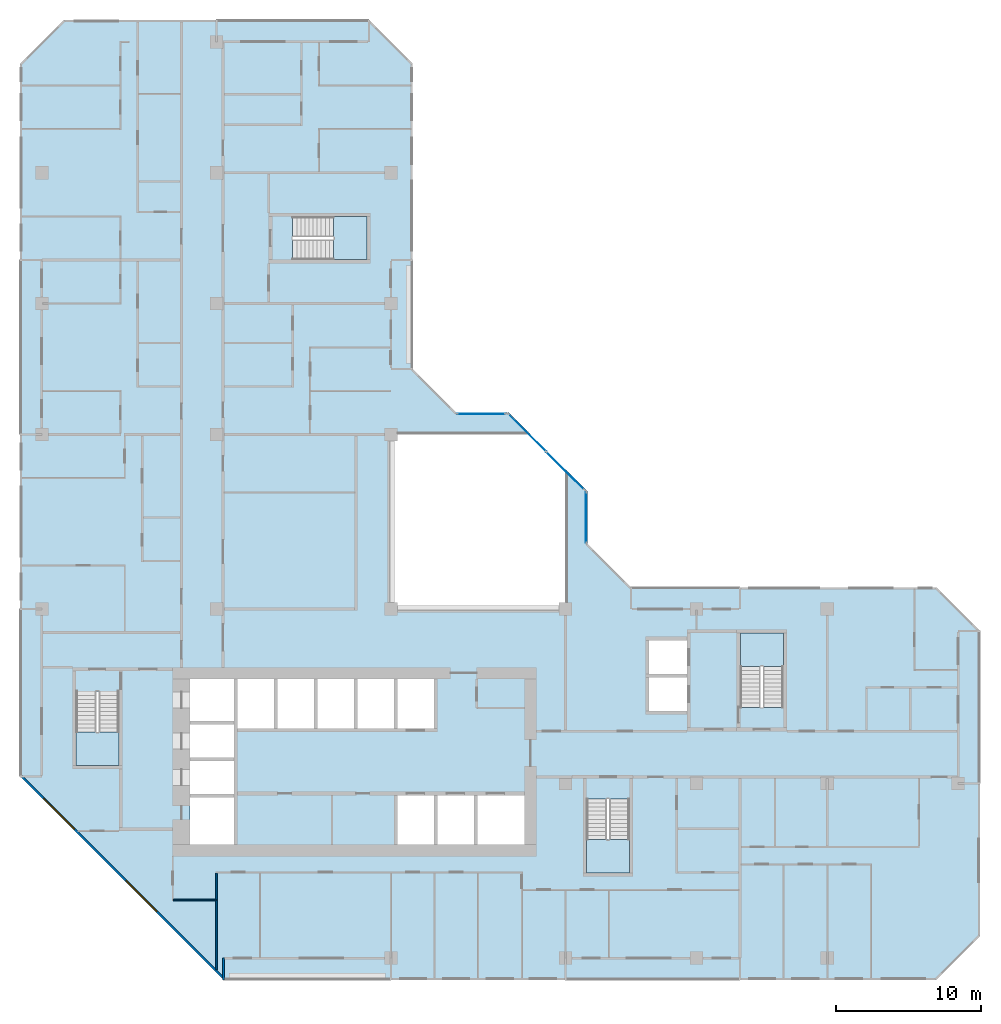
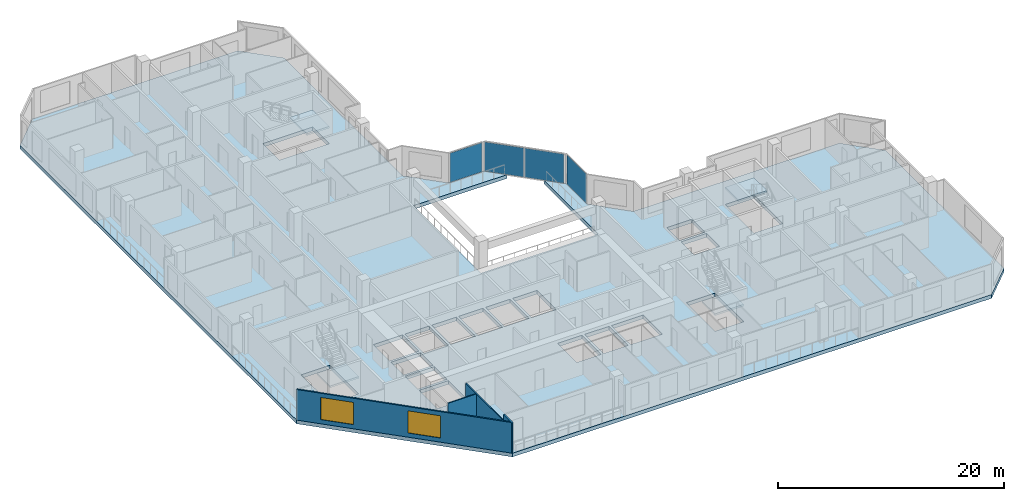
# One storey, part 3 of 15: 5 slabs, 4 plates, 4 walls, 2 windows, 2 openings, 7 elements without a shape of their own.
"""IFC4 building model written with IfcOpenShell, lengths in metres."""

from ifc_helpers import new_model, si_unit, direction, frame, frame_2d, origin, origin_2d, place, context, subcontext, project, spatial, polyline, rectangle, outline, extrude, material, layer, layer_set, type_object, element, fill, aggregate, save


model = new_model("IFC4")

# Units and contexts
model_context = context("Model", 3, precision=1e-05, world=origin(), true_north=direction((0.0, 1.0)))
body_context = subcontext(model_context, "Body", "Model", "MODEL_VIEW")
ifc_project = project(units=[si_unit("LENGTHUNIT", "METRE"), si_unit("AREAUNIT", "SQUARE_METRE"), si_unit("VOLUMEUNIT", "CUBIC_METRE"), si_unit("PLANEANGLEUNIT", "RADIAN"), si_unit("MASSUNIT", "GRAM", prefix="KILO")], contexts=[model_context])

# Site, building, storey
site_placement = place(None, origin())
site = spatial("IfcSite", under=ifc_project, at=site_placement, CompositionType="ELEMENT")
building_placement = place(site_placement, origin())
building = spatial("IfcBuilding", under=site, at=building_placement, Name="Chenar Terraces", CompositionType="ELEMENT")
storey_placement = place(building_placement, frame((0.0, 0.0, 202.39990234375)))
storey = spatial("IfcBuildingStorey", under=building, at=storey_placement, Name="L47", CompositionType="ELEMENT", Elevation=202.39990234375)

# Curtain wall, plate
ifc_material_1 = material(Name="Aluminium framed glazing", Category="aluminium")
ifc_layer_1 = layer(ifc_material_1, 0.14990234375)
ifc_layer_set_1 = layer_set([ifc_layer_1], Name="Aluminium framed glazing")
curtain_wall_type = type_object("IfcCurtainWallType", Name="Atrium mid-zone curtain wall", PredefinedType="NOTDEFINED", material=ifc_layer_set_1)
placement_1 = place(storey_placement, origin())
curtain_wall_1 = element("IfcCurtainWall", 1, at=placement_1, inside=storey, type_object=curtain_wall_type, Name="Atrium mid-zone curtain wall", PredefinedType="NOTDEFINED")
ifc_material_2 = material(Name="Low emissivity laminated glass, solar control coating", Category="glass")
ifc_layer_2 = layer(ifc_material_2, 0.031982421875)
ifc_layer_set_2 = layer_set([ifc_layer_2], Name="Low emissivity laminated glass, solar control coating")
plate_type = type_object("IfcPlateType", Name="Atrium mid-zone glazing panel 32", PredefinedType="CURTAIN_PANEL", material=ifc_layer_set_2)
plate_1_placement = place(storey_placement, frame((37.425048828125, 30.300048828125, 0.0703125), z_axis=(0.0, 0.0, 1.0), x_axis=(0.0, 1.0, 0.0)))
plate_1 = element("IfcPlate", 2, at=plate_1_placement, type_object=plate_type, Name="CW7-1 panel 1.1", PredefinedType="CURTAIN_PANEL", context=body_context, shape_type="SweptSolid", body=[
    extrude(rectangle(XDim=3.4599609375, YDim=0.031982421875, at=origin_2d()), origin(), (0.0, 0.0, 1.0), 3.159912109375),
])
aggregate(curtain_wall_1, [plate_1])

# Curtain wall, plates
curtain_wall_2 = element("IfcCurtainWall", 3, at=placement_1, inside=storey, type_object=curtain_wall_type, Name="Atrium mid-zone curtain wall", PredefinedType="NOTDEFINED")
plate_2_placement = place(storey_placement, frame((35.978515625, 33.515380859375, 0.0703125), z_axis=(0.0, 0.0, 1.0), x_axis=(-0.707106781187, 0.707106781187, 0.0)))
plate_2 = element("IfcPlate", 4, at=plate_2_placement, type_object=plate_type, Name="CW7-2 panel 1.1", PredefinedType="CURTAIN_PANEL", context=body_context, shape_type="SweptSolid", body=[
    extrude(rectangle(XDim=3.61328125, YDim=0.031982421875, at=origin_2d()), origin(), (0.0, 0.0, 1.0), 3.159912109375),
])
plate_3_placement = place(storey_placement, frame((33.3740234375, 36.119873046875, 0.0703125), z_axis=(0.0, 0.0, 1.0), x_axis=(-0.707106781187, 0.707106781187, 0.0)))
plate_3 = element("IfcPlate", 5, at=plate_3_placement, type_object=plate_type, Name="CW7-2 panel 2.1", PredefinedType="CURTAIN_PANEL", context=body_context, shape_type="SweptSolid", body=[
    extrude(rectangle(XDim=3.61328125, YDim=0.031982421875, at=origin_2d()), origin(), (0.0, 0.0, 1.0), 3.159912109375),
])
aggregate(curtain_wall_2, [plate_2, plate_3])

# Curtain wall, plate
curtain_wall_3 = element("IfcCurtainWall", 6, at=placement_1, inside=storey, type_object=curtain_wall_type, Name="Atrium mid-zone curtain wall", PredefinedType="NOTDEFINED")
plate_4_placement = place(storey_placement, frame((30.199951171875, 37.425048828125, 0.0703125), z_axis=(0.0, 0.0, 1.0), x_axis=(-1.0, 0.0, 0.0)))
plate_4 = element("IfcPlate", 7, at=plate_4_placement, type_object=plate_type, Name="CW7-3 panel 1.1", PredefinedType="CURTAIN_PANEL", context=body_context, shape_type="SweptSolid", body=[
    extrude(rectangle(XDim=3.260009765625, YDim=0.031982421875, at=origin_2d()), origin(), (0.0, 0.0, 1.0), 3.159912109375),
])
aggregate(curtain_wall_3, [plate_4])

# Stair, slab
ifc_material_3 = material(Name="Reinforced concrete C40/50", Category="concrete")
stair_type = type_object("IfcStairType", Name="Core stair 1400 half-turn", PredefinedType="HALF_TURN_STAIR", material=ifc_material_3)
stair_1 = element("IfcStair", 8, at=placement_1, inside=storey, type_object=stair_type, Name="L47 Stair 1", PredefinedType="HALF_TURN_STAIR")
ifc_material_4 = material(Name="Reinforced concrete C40/50", Category="concrete")
ifc_layer_3 = layer(ifc_material_4, 0.199951171875)
ifc_layer_set_3 = layer_set([ifc_layer_3], Name="Reinforced concrete C40/50")
slab_type_1 = type_object("IfcSlabType", Name="Core stair landing 200", PredefinedType="LANDING", material=ifc_layer_set_3)
placement_2 = place(storey_placement, frame((0.0, 0.0, 1.675048828125)))
slab_1 = element("IfcSlab", 9, at=placement_2, type_object=slab_type_1, Name="ST1 landing 1", PredefinedType="LANDING", context=body_context, shape_type="SweptSolid", body=[
    extrude(outline(polyline([(2.35009765625, 15.550048828125), (2.35009765625, 13.25), (5.300048828125, 13.25), (5.300048828125, 15.550048828125), (2.35009765625, 15.550048828125)])), origin(), (0.0, 0.0, 1.0), 0.199951171875),
])
aggregate(stair_1, [slab_1])

stair_2 = element("IfcStair", 10, at=placement_1, inside=storey, type_object=stair_type, Name="L47 Stair 2", PredefinedType="HALF_TURN_STAIR")
slab_2 = element("IfcSlab", 11, at=placement_2, type_object=slab_type_1, Name="ST2 landing 1", PredefinedType="LANDING", context=body_context, shape_type="SweptSolid", body=[
    extrude(outline(polyline([(37.449951171875, 8.14990234375), (37.449951171875, 5.85009765625), (40.39990234375, 5.85009765625), (40.39990234375, 8.14990234375), (37.449951171875, 8.14990234375)])), origin(), (0.0, 0.0, 1.0), 0.199951171875),
])
aggregate(stair_2, [slab_2])

stair_3 = element("IfcStair", 12, at=placement_1, inside=storey, type_object=stair_type, Name="L47 Stair 3", PredefinedType="HALF_TURN_STAIR")
slab_3 = element("IfcSlab", 13, at=placement_2, type_object=slab_type_1, Name="ST3 landing 1", PredefinedType="LANDING", context=body_context, shape_type="SweptSolid", body=[
    extrude(outline(polyline([(50.97509765625, 20.050048828125), (50.97509765625, 22.35009765625), (48.02490234375, 22.35009765625), (48.02490234375, 20.050048828125), (50.97509765625, 20.050048828125)])), origin(), (0.0, 0.0, 1.0), 0.199951171875),
])
aggregate(stair_3, [slab_3])

stair_4 = element("IfcStair", 14, at=placement_1, inside=storey, type_object=stair_type, Name="L47 Stair 4", PredefinedType="HALF_TURN_STAIR")
slab_4 = element("IfcSlab", 15, at=placement_2, type_object=slab_type_1, Name="ST4 landing 1", PredefinedType="LANDING", context=body_context, shape_type="SweptSolid", body=[
    extrude(outline(polyline([(20.050048828125, 48.02490234375), (22.35009765625, 48.02490234375), (22.35009765625, 50.97509765625), (20.050048828125, 50.97509765625), (20.050048828125, 48.02490234375)])), origin(), (0.0, 0.0, 1.0), 0.199951171875),
])
aggregate(stair_4, [slab_4])

# Slab
ifc_material_5 = material(Name="Concrete C40/50", Category="concrete")
ifc_layer_4 = layer(ifc_material_5, 0.39990234375)
ifc_layer_set_4 = layer_set([ifc_layer_4], Name="Concrete C40/50")
slab_type_2 = type_object("IfcSlabType", Name="Floor slab 400 Concrete C40/50", PredefinedType="FLOOR", material=ifc_layer_set_4)
slab_5_placement = place(storey_placement, frame((0.0, 0.0, -0.39990234375)))
element("IfcSlab", 16, at=slab_5_placement, inside=storey, type_object=slab_type_2, Name="Floor slab L47", PredefinedType="FLOOR", context=body_context, shape_type="SweptSolid", body=[
    extrude(outline(polyline([(64.5, 22.5), (64.5, 1.5), (61.5, -1.5), (12.5, -1.5), (-1.5, 12.5), (-1.5, 61.5), (1.5, 64.5), (22.5, 64.5), (25.5, 61.5), (25.5, 40.5), (28.5, 37.5), (32.10009765625, 37.5), (33.60009765625, 36.0), (24.0, 36.0), (24.0, 24.0), (36.0, 24.0), (36.0, 33.60009765625), (37.5, 32.10009765625), (37.5, 28.5), (40.5, 25.5), (61.5, 25.5), (64.5, 22.5)]), holes=[polyline([(13.199951171875, 11.050048828125), (10.199951171875, 11.050048828125), (10.199951171875, 7.800048828125), (13.199951171875, 7.800048828125), (13.199951171875, 11.050048828125)]), polyline([(13.199951171875, 13.550048828125), (10.199951171875, 13.550048828125), (10.199951171875, 11.300048828125), (13.199951171875, 11.300048828125), (13.199951171875, 13.550048828125)]), polyline([(13.199951171875, 16.050048828125), (10.199951171875, 16.050048828125), (10.199951171875, 13.800048828125), (13.199951171875, 13.800048828125), (13.199951171875, 16.050048828125)]), polyline([(2.35009765625, 13.25), (5.300048828125, 13.25), (5.300048828125, 18.35009765625), (2.35009765625, 18.35009765625), (2.35009765625, 13.25)]), polyline([(15.949951171875, 19.199951171875), (13.449951171875, 19.199951171875), (13.449951171875, 15.800048828125), (15.949951171875, 15.800048828125), (15.949951171875, 19.199951171875)]), polyline([(18.699951171875, 19.199951171875), (16.199951171875, 19.199951171875), (16.199951171875, 15.800048828125), (18.699951171875, 15.800048828125), (18.699951171875, 19.199951171875)]), polyline([(21.449951171875, 19.199951171875), (18.949951171875, 19.199951171875), (18.949951171875, 15.800048828125), (21.449951171875, 15.800048828125), (21.449951171875, 19.199951171875)]), polyline([(24.199951171875, 15.800048828125), (24.199951171875, 19.199951171875), (21.699951171875, 19.199951171875), (21.699951171875, 15.800048828125), (24.199951171875, 15.800048828125)]), polyline([(13.199951171875, 16.300048828125), (13.199951171875, 19.199951171875), (10.199951171875, 19.199951171875), (10.199951171875, 16.300048828125), (13.199951171875, 16.300048828125)]), polyline([(22.35009765625, 48.02490234375), (22.35009765625, 50.97509765625), (17.25, 50.97509765625), (17.25, 48.02490234375), (22.35009765625, 48.02490234375)]), polyline([(37.449951171875, 5.85009765625), (40.39990234375, 5.85009765625), (40.39990234375, 10.949951171875), (37.449951171875, 10.949951171875), (37.449951171875, 5.85009765625)]), polyline([(26.949951171875, 11.199951171875), (24.449951171875, 11.199951171875), (24.449951171875, 7.800048828125), (26.949951171875, 7.800048828125), (26.949951171875, 11.199951171875)]), polyline([(29.699951171875, 7.800048828125), (29.699951171875, 11.199951171875), (27.199951171875, 11.199951171875), (27.199951171875, 7.800048828125), (29.699951171875, 7.800048828125)]), polyline([(33.199951171875, 7.800048828125), (33.199951171875, 11.199951171875), (29.949951171875, 11.199951171875), (29.949951171875, 7.800048828125), (33.199951171875, 7.800048828125)]), polyline([(26.949951171875, 19.199951171875), (24.449951171875, 19.199951171875), (24.449951171875, 15.800048828125), (26.949951171875, 15.800048828125), (26.949951171875, 19.199951171875)]), polyline([(44.35009765625, 19.300048828125), (41.75, 19.300048828125), (41.75, 17.0), (44.35009765625, 17.0), (44.35009765625, 19.300048828125)]), polyline([(50.97509765625, 22.35009765625), (48.02490234375, 22.35009765625), (48.02490234375, 17.25), (50.97509765625, 17.25), (50.97509765625, 22.35009765625)]), polyline([(44.35009765625, 19.550048828125), (44.35009765625, 21.85009765625), (41.75, 21.85009765625), (41.75, 19.550048828125), (44.35009765625, 19.550048828125)])]), origin(), (0.0, 0.0, 1.0), 0.39990234375),
])

# Walls
ifc_material_6 = material(Name="Gypsum board on steel studs", Category="steel")
ifc_layer_5 = layer(ifc_material_6, 0.10009765625)
ifc_layer_set_5 = layer_set([ifc_layer_5], Name="Gypsum board on steel studs")
wall_type_1 = type_object("IfcWallType", Name="Gypsum partition 100", PredefinedType="PARTITIONING", material=ifc_layer_set_5)
wall_1_placement = place(storey_placement, frame((9.050048828125, 4.0, 0.0), z_axis=(0.0, 0.0, 1.0), x_axis=(1.0, 0.0, 0.0)))
element("IfcWall", 17, at=wall_1_placement, inside=storey, type_object=wall_type_1, Name="Partition L47-032", PredefinedType="PARTITIONING", context=body_context, shape_type="SweptSolid", body=[
    extrude(rectangle(XDim=2.89990234375, YDim=0.10009765625, at=frame_2d((1.449951171875, 0.0))), origin(), (0.0, 0.0, 1.0), 3.300048828125),
])
wall_2_placement = place(storey_placement, frame((12.0, -0.787841796875, 0.0), z_axis=(0.0, 0.0, 1.0), x_axis=(0.0, 1.0, 0.0)))
element("IfcWall", 18, at=wall_2_placement, inside=storey, type_object=wall_type_1, Name="Partition L47-035", PredefinedType="PARTITIONING", context=body_context, shape_type="SweptSolid", body=[
    extrude(rectangle(XDim=6.637939453125, YDim=0.10009765625, at=frame_2d((3.31884765625, 0.0))), origin(), (0.0, 0.0, 1.0), 3.300048828125),
])
ifc_material_7 = material(Name="Terracotta cladding on insulated backing", Category="masonry")
ifc_layer_6 = layer(ifc_material_7, 0.14990234375)
ifc_layer_set_6 = layer_set([ifc_layer_6], Name="Terracotta cladding on insulated backing")
wall_type_2 = type_object("IfcWallType", Name="Loggia return wall 150", PredefinedType="SOLIDWALL", material=ifc_layer_set_6)
wall_3_placement = place(storey_placement, frame((12.5, -1.5, 0.0), z_axis=(0.0, 0.0, 1.0), x_axis=(0.0, 1.0, 0.0)))
element("IfcWall", 19, at=wall_3_placement, inside=storey, type_object=wall_type_2, Name="Loggia return wall", PredefinedType="SOLIDWALL", context=body_context, shape_type="SweptSolid", body=[
    extrude(rectangle(XDim=1.5, YDim=0.14990234375, at=frame_2d((0.75, 0.0))), origin(), (0.0, 0.0, 1.0), 3.300048828125),
])

# Wall, openings, windows
ifc_material_8 = material(Name="Terracotta cladding on insulated backing", Category="masonry")
ifc_layer_7 = layer(ifc_material_8, 0.14990234375)
ifc_layer_set_7 = layer_set([ifc_layer_7], Name="Terracotta cladding on insulated backing")
wall_type_3 = type_object("IfcWallType", Name="Terracotta rainscreen wall 150", PredefinedType="SOLIDWALL", material=ifc_layer_set_7)
wall_4_placement = place(storey_placement, frame((-1.447021484375, 12.552978515625, 0.0), z_axis=(0.0, 0.0, 1.0), x_axis=(0.707106781187, -0.707106781187, 0.0)))
wall_4 = element("IfcWall", 20, at=wall_4_placement, inside=storey, type_object=wall_type_3, Name="Terracotta rainscreen wall", PredefinedType="SOLIDWALL", context=body_context, shape_type="SweptSolid", body=[
    extrude(rectangle(XDim=19.799072265625, YDim=0.14990234375, at=frame_2d((9.8994140625, 0.0))), origin(), (0.0, 0.0, 1.0), 3.300048828125),
])
opening_1_placement = place(wall_4_placement, frame((2.21240234375, 0.0, 0.449951171875)))
opening_1 = element("IfcOpeningElement", 21, at=opening_1_placement, cuts=wall_4, Name="Opening W300x240", PredefinedType="OPENING", context=body_context, shape_type="SweptSolid", body=[
    extrude(rectangle(XDim=3.0, YDim=2.39990234375, at=frame_2d((1.5, 1.199951171875))), frame((0.0, 0.0849609375, 0.0), z_axis=(0.0, -1.0, 0.0), x_axis=(1.0, 0.0, 0.0)), (0.0, 0.0, 1.0), 0.169921875),
])
opening_2_placement = place(wall_4_placement, frame((10.215576171875, 0.0, 0.449951171875)))
opening_2 = element("IfcOpeningElement", 22, at=opening_2_placement, cuts=wall_4, Name="Opening W300x240", PredefinedType="OPENING", context=body_context, shape_type="SweptSolid", body=[
    extrude(rectangle(XDim=3.0, YDim=2.39990234375, at=frame_2d((1.5, 1.199951171875))), frame((0.0, 0.0849609375, 0.0), z_axis=(0.0, -1.0, 0.0), x_axis=(1.0, 0.0, 0.0)), (0.0, 0.0, 1.0), 0.169921875),
])
ifc_material_9 = material(Name="Low emissivity double glazing, aluminium frame", Category="aluminium")
window_type = type_object("IfcWindowType", Name="Fixed light 3000 x 2400", PartitioningType="SINGLE_PANEL", PredefinedType="WINDOW", material=ifc_material_9)
window_1_placement = place(opening_1_placement, origin())
window_1 = element("IfcWindow", 23, at=window_1_placement, inside=storey, type_object=window_type, Name="Window", OverallHeight=2.39990234375, OverallWidth=3.0, PartitioningType="SINGLE_PANEL", PredefinedType="WINDOW", context=body_context, shape_type="SweptSolid", body=[
    extrude(rectangle(XDim=3.0, YDim=2.39990234375, at=frame_2d((1.5, 1.199951171875))), frame((0.0, 0.030029296875, 0.0), z_axis=(0.0, -1.0, 0.0), x_axis=(1.0, 0.0, 0.0)), (0.0, 0.0, 1.0), 0.06005859375),
])
fill(opening_1, window_1)
window_2_placement = place(opening_2_placement, origin())
window_2 = element("IfcWindow", 24, at=window_2_placement, inside=storey, type_object=window_type, Name="Window", OverallHeight=2.39990234375, OverallWidth=3.0, PartitioningType="SINGLE_PANEL", PredefinedType="WINDOW", context=body_context, shape_type="SweptSolid", body=[
    extrude(rectangle(XDim=3.0, YDim=2.39990234375, at=frame_2d((1.5, 1.199951171875))), frame((0.0, 0.030029296875, 0.0), z_axis=(0.0, -1.0, 0.0), x_axis=(1.0, 0.0, 0.0)), (0.0, 0.0, 1.0), 0.06005859375),
])
fill(opening_2, window_2)

save(model, "model.ifc")
